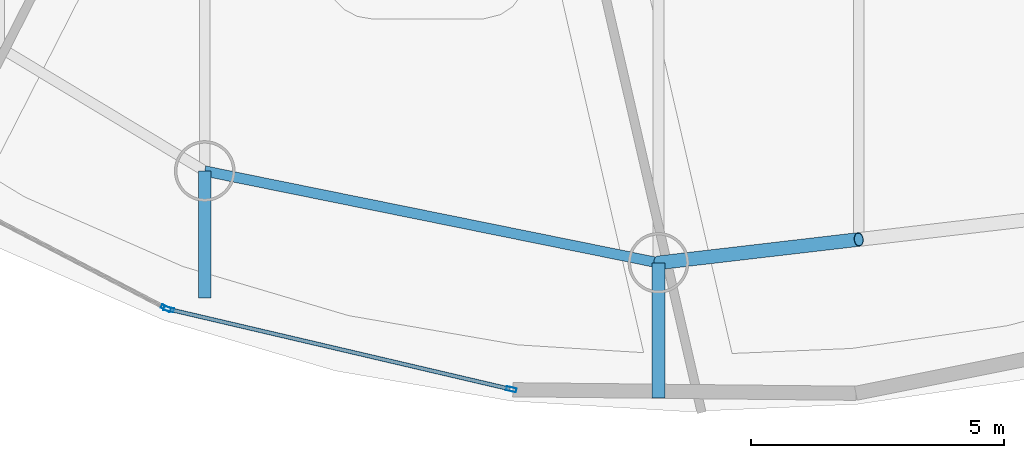
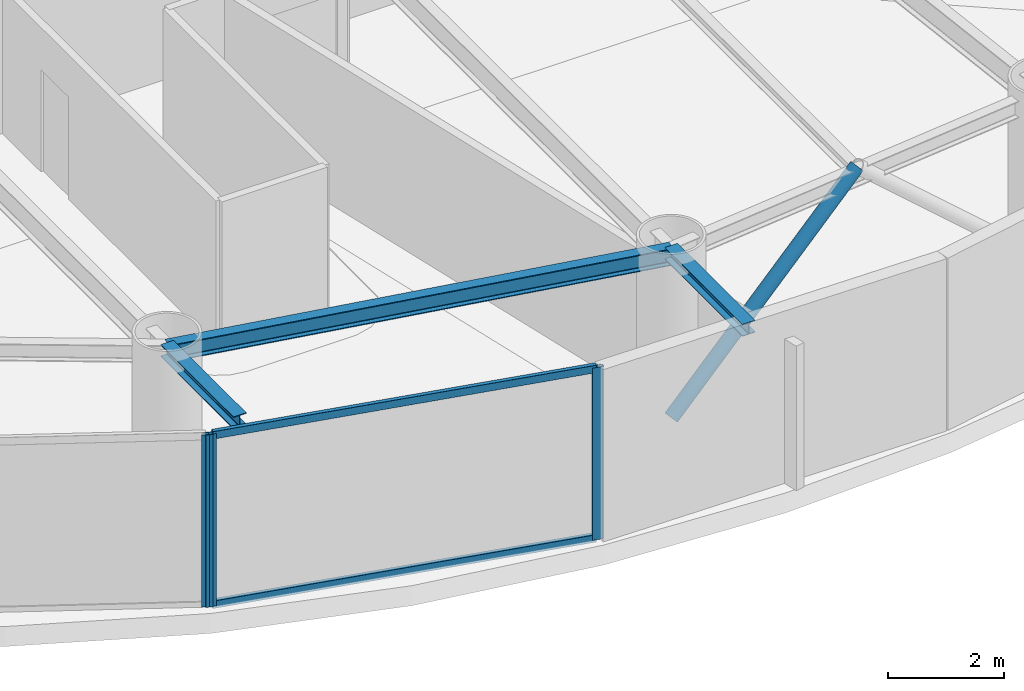
# One storey, part 3 of 25: 6 members, 3 beams, 2 elements without a shape of their own.
"""IFC4 building model written with IfcOpenShell, lengths in metres."""

from ifc_helpers import new_model, si_unit, direction, frame, origin, origin_2d, place, context, subcontext, project, spatial, hollow_rectangle, hollow_circle, i_section, extrude, material, layer, layer_set, material_profile, profile_set, type_object, element, aggregate, save


model = new_model("IFC4")

# Units and contexts
model_context = context("Model", 3, precision=1e-05, world=origin(), true_north=direction((0.0, 1.0)))
body_context = subcontext(model_context, "Body", "Model", "MODEL_VIEW")
ifc_project = project(units=[si_unit("LENGTHUNIT", "METRE"), si_unit("AREAUNIT", "SQUARE_METRE"), si_unit("VOLUMEUNIT", "CUBIC_METRE"), si_unit("PLANEANGLEUNIT", "RADIAN"), si_unit("MASSUNIT", "GRAM", prefix="KILO")], contexts=[model_context])

# Site, building, storey
site_placement = place(None, origin())
site = spatial("IfcSite", under=ifc_project, at=site_placement, CompositionType="ELEMENT")
building_placement = place(site_placement, origin())
building = spatial("IfcBuilding", under=site, at=building_placement, Name="Bramvorn Convention Spire", CompositionType="ELEMENT")
storey_placement = place(building_placement, frame((0.0, 0.0, 171.199951171875)))
storey = spatial("IfcBuildingStorey", under=building, at=storey_placement, Name="L43", CompositionType="ELEMENT", Elevation=171.199951171875)

# Beams
ifc_material_1 = material(Name="Steel CSA G40.21 Grade 350 (350W)", Category="steel")
ifc_material_profile_1 = material_profile(ifc_material_1, i_section(OverallWidth=0.25390625, OverallDepth=0.2529296875, WebThickness=0.008544921875, FlangeThickness=0.01416015625, FilletRadius=0.011962890625, at=origin_2d()))
ifc_profile_set_1 = profile_set([ifc_material_profile_1], Name="Steel CSA G40.21 Grade 350 (350W) - W250X73")
beam_type_1 = type_object("IfcBeamType", Name="BM-W250X73", PredefinedType="BEAM", material=ifc_profile_set_1)
beam_1_placement = place(storey_placement, frame((33.61083984375, 7.227783203125, 3.49365234375), z_axis=(0.0, -1.0, 0.0), x_axis=(1.0, 0.0, 0.0)))
element("IfcBeam", 1, at=beam_1_placement, inside=storey, type_object=beam_type_1, Name="L43 slab-edge cantilever tip beam MC14", PredefinedType="BEAM", context=body_context, shape_type="SweptSolid", body=[
    extrude(i_section(OverallWidth=0.25390625, OverallDepth=0.2529296875, WebThickness=0.008544921875, FlangeThickness=0.01416015625, FilletRadius=0.011962890625, at=origin_2d()), origin(), (0.0, 0.0, 1.0), 2.51123046875),
])
beam_2_placement = place(storey_placement, frame((42.583740234375, 5.41162109375, 3.49365234375), z_axis=(0.0, -1.0, 0.0), x_axis=(1.0, 0.0, 0.0)))
element("IfcBeam", 2, at=beam_2_placement, inside=storey, type_object=beam_type_1, Name="L43 slab-edge cantilever tip beam MC15", PredefinedType="BEAM", context=body_context, shape_type="SweptSolid", body=[
    extrude(i_section(OverallWidth=0.25390625, OverallDepth=0.2529296875, WebThickness=0.008544921875, FlangeThickness=0.01416015625, FilletRadius=0.011962890625, at=origin_2d()), origin(), (0.0, 0.0, 1.0), 2.671630859375),
])
ifc_material_profile_2 = material_profile(ifc_material_1, i_section(OverallWidth=0.205078125, OverallDepth=0.35400390625, WebThickness=0.009521484375, FlangeThickness=0.016845703125, FilletRadius=0.014892578125, at=origin_2d()))
ifc_profile_set_2 = profile_set([ifc_material_profile_2], Name="Steel CSA G40.21 Grade 350 (350W) - W360X79")
beam_type_2 = type_object("IfcBeamType", Name="BM-W360X79", PredefinedType="JOIST", material=ifc_profile_set_2)
beam_3_placement = place(storey_placement, frame((33.61083984375, 7.227783203125, 3.443115234375), z_axis=(0.980124701676, -0.198382381187, 0.0), x_axis=(0.198382381187, 0.980124701676, 0.0)))
element("IfcBeam", 3, at=beam_3_placement, inside=storey, type_object=beam_type_2, Name="L43 mega-column ring beam 14", PredefinedType="JOIST", context=body_context, shape_type="SweptSolid", body=[
    extrude(i_section(OverallWidth=0.205078125, OverallDepth=0.35400390625, WebThickness=0.009521484375, FlangeThickness=0.016845703125, FilletRadius=0.014892578125, at=origin_2d()), origin(), (0.0, 0.0, 1.0), 9.15478515625),
])

# Curtain wall, member
ifc_material_2 = material(Name="Anodised Bronze Unitised Curtain Wall", Category="aluminium")
ifc_layer = layer(ifc_material_2, 0.179931640625)
ifc_layer_set = layer_set([ifc_layer], Name="Anodised Bronze Unitised Curtain Wall - CW-OFF-FRIT")
curtain_wall_type = type_object("IfcCurtainWallType", Name="CW-OFF-FRIT", PredefinedType="USERDEFINED", material=ifc_layer_set)
curtain_wall_1_placement = place(storey_placement, origin())
curtain_wall_1 = element("IfcCurtainWall", 4, at=curtain_wall_1_placement, inside=storey, type_object=curtain_wall_type, Name="L43 fritted glass curtain wall 19", ObjectType="UNITISED CURTAIN WALL", PredefinedType="USERDEFINED")
ifc_material_3 = material(Name="Anodised Bronze Aluminium 6063-T6", Category="aluminium")
ifc_material_profile_3 = material_profile(ifc_material_3, hollow_rectangle(XDim=0.080078125, YDim=0.199951171875, WallThickness=0.00390625, InnerFilletRadius=0.0009765625, OuterFilletRadius=0.00390625, at=origin_2d()))
ifc_profile_set_3 = profile_set([ifc_material_profile_3], Name="Anodised Bronze Aluminium 6063-T6 - CWM80X200")
member_type_1 = type_object("IfcMemberType", Name="CW-MUL-180", PredefinedType="MULLION", material=ifc_profile_set_3)
member_1_placement = place(storey_placement, frame((32.8427734375, 4.51416015625, 0.0), z_axis=(0.0, 0.0, 1.0), x_axis=(-0.461812531974, -0.886977556262, 0.0)))
member_1 = element("IfcMember", 5, at=member_1_placement, type_object=member_type_1, Name="CW3 mullion 1", PredefinedType="MULLION", context=body_context, shape_type="SweptSolid", body=[
    extrude(hollow_rectangle(XDim=0.080078125, YDim=0.199951171875, WallThickness=0.00390625, InnerFilletRadius=0.0009765625, OuterFilletRadius=0.00390625, at=origin_2d()), origin(), (0.0, 0.0, 1.0), 3.6201171875),
])
aggregate(curtain_wall_1, [member_1])

# Curtain wall, members
curtain_wall_2_placement = place(storey_placement, origin())
curtain_wall_2 = element("IfcCurtainWall", 6, at=curtain_wall_2_placement, inside=storey, type_object=curtain_wall_type, Name="L43 fritted glass curtain wall 20", ObjectType="UNITISED CURTAIN WALL", PredefinedType="USERDEFINED")
member_2_placement = place(storey_placement, frame((39.673583984375, 2.909423828125, 0.0), z_axis=(0.0, 0.0, 1.0), x_axis=(-0.227667444297, -0.973738945923, 0.0)))
member_2 = element("IfcMember", 7, at=member_2_placement, type_object=member_type_1, Name="CW3 mullion 1", PredefinedType="MULLION", context=body_context, shape_type="SweptSolid", body=[
    extrude(hollow_rectangle(XDim=0.080078125, YDim=0.199951171875, WallThickness=0.00390625, InnerFilletRadius=0.0009765625, OuterFilletRadius=0.00390625, at=origin_2d()), origin(), (0.0, 0.0, 1.0), 3.6201171875),
])
member_3_placement = place(storey_placement, frame((32.898681640625, 4.493408203125, 0.0), z_axis=(0.0, 0.0, 1.0), x_axis=(-0.227667444297, -0.973738945923, 0.0)))
member_3 = element("IfcMember", 8, at=member_3_placement, type_object=member_type_1, Name="CW3 mullion 2", PredefinedType="MULLION", context=body_context, shape_type="SweptSolid", body=[
    extrude(hollow_rectangle(XDim=0.080078125, YDim=0.199951171875, WallThickness=0.00390625, InnerFilletRadius=0.0009765625, OuterFilletRadius=0.00390625, at=origin_2d()), origin(), (0.0, 0.0, 1.0), 3.6201171875),
])
ifc_material_profile_4 = material_profile(ifc_material_3, hollow_rectangle(XDim=0.080078125, YDim=0.159912109375, WallThickness=0.00390625, InnerFilletRadius=0.0009765625, OuterFilletRadius=0.00390625, at=origin_2d()))
ifc_profile_set_4 = profile_set([ifc_material_profile_4], Name="Anodised Bronze Aluminium 6063-T6 - CWT80X160")
member_type_2 = type_object("IfcMemberType", Name="CW-TRN-150", PredefinedType="USERDEFINED", material=ifc_profile_set_4)
member_4_placement = place(storey_placement, frame((39.64453125, 2.916259765625, 0.030029296875), z_axis=(-0.973741122881, 0.227658133197, 0.0), x_axis=(-0.227658133197, -0.973741122881, 0.0)))
member_4 = element("IfcMember", 9, at=member_4_placement, type_object=member_type_2, Name="CW3 transom 1.1", ObjectType="TRANSOM", PredefinedType="USERDEFINED", context=body_context, shape_type="SweptSolid", body=[
    extrude(hollow_rectangle(XDim=0.080078125, YDim=0.159912109375, WallThickness=0.00390625, InnerFilletRadius=0.0009765625, OuterFilletRadius=0.00390625, at=origin_2d()), origin(), (0.0, 0.0, 1.0), 6.897705078125),
])
member_5_placement = place(storey_placement, frame((39.64453125, 2.916259765625, 3.590087890625), z_axis=(-0.973741122881, 0.227658133197, 0.0), x_axis=(-0.227658133197, -0.973741122881, 0.0)))
member_5 = element("IfcMember", 10, at=member_5_placement, type_object=member_type_2, Name="CW3 transom 1.2", ObjectType="TRANSOM", PredefinedType="USERDEFINED", context=body_context, shape_type="SweptSolid", body=[
    extrude(hollow_rectangle(XDim=0.080078125, YDim=0.159912109375, WallThickness=0.00390625, InnerFilletRadius=0.0009765625, OuterFilletRadius=0.00390625, at=origin_2d()), origin(), (0.0, 0.0, 1.0), 6.897705078125),
])
aggregate(curtain_wall_2, [member_2, member_3, member_4, member_5])

# Member
ifc_material_profile_5 = material_profile(ifc_material_1, hollow_circle(Radius=0.136474609375, WallThickness=0.0126953125, at=origin_2d()))
ifc_profile_set_5 = profile_set([ifc_material_profile_5], Name="Steel CSA G40.21 Grade 350 (350W) - CHS273X13")
member_type_3 = type_object("IfcMemberType", Name="MBR-CHS273X13", PredefinedType="BRACE", material=ifc_profile_set_5)
member_6_placement = place(storey_placement, frame((42.583740234375, 5.41162109375, 0.0), z_axis=(0.735383423132, 0.085859709247, 0.672189951807), x_axis=(-0.115967281863, 0.993253033993, 0.0)))
element("IfcMember", 11, at=member_6_placement, inside=storey, type_object=member_type_3, Name="L43 perimeter Gothic lancet brace 15A", PredefinedType="BRACE", context=body_context, shape_type="SweptSolid", body=[
    extrude(hollow_circle(Radius=0.136474609375, WallThickness=0.0126953125, at=origin_2d()), origin(), (0.0, 0.0, 1.0), 5.385498046875),
])

save(model, "model.ifc")
